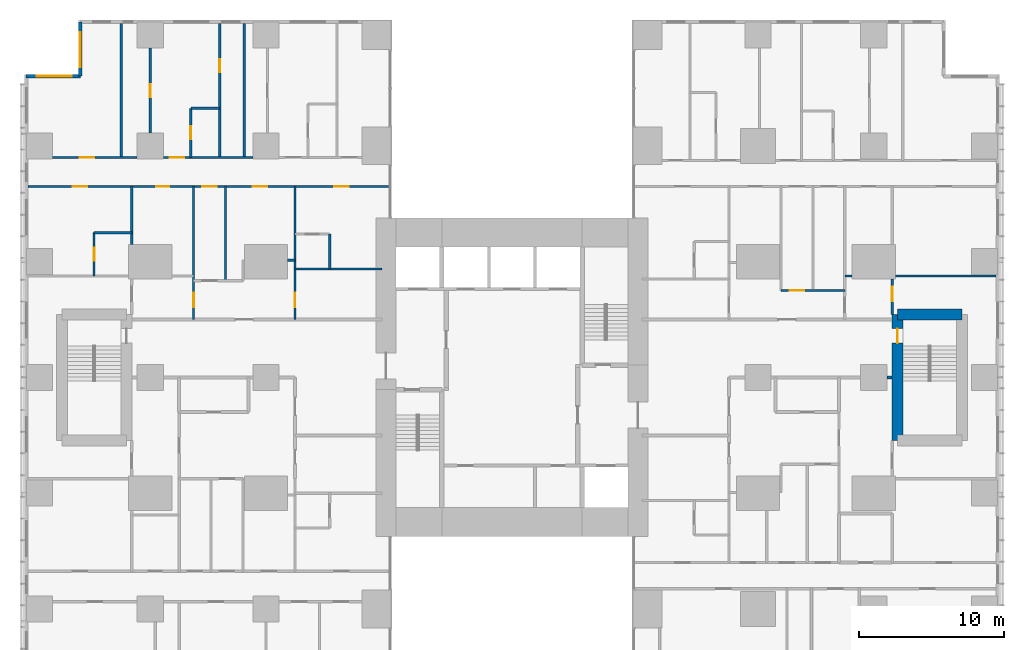
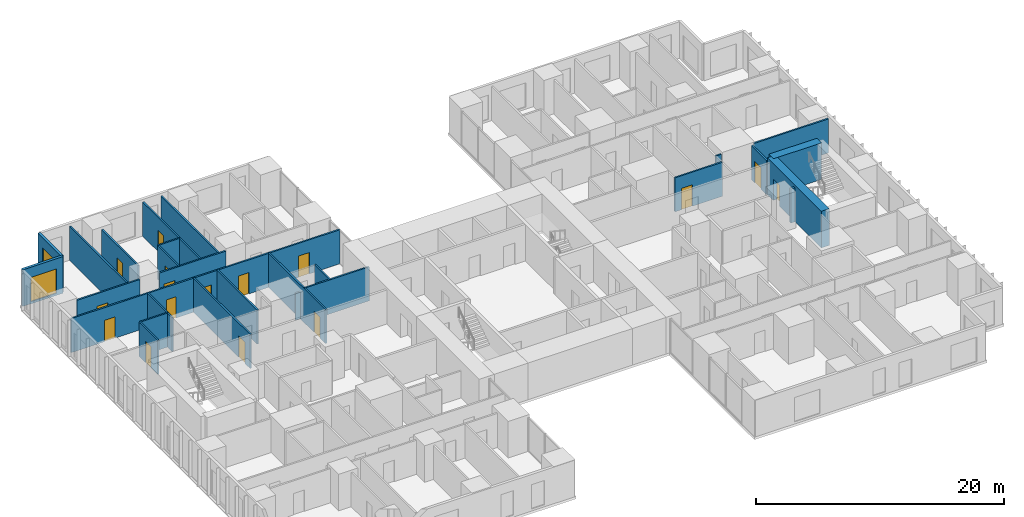
# One storey, part 16 of 20: 27 walls, 16 doors, 2 windows, 18 openings.
"""IFC4 building model written with IfcOpenShell, lengths in metres."""

from ifc_helpers import new_model, si_unit, direction, frame, frame_2d, origin, place, context, subcontext, project, spatial, rectangle, extrude, material, layer, layer_set, type_object, element, fill, save


model = new_model("IFC4")

# Units and contexts
model_context = context("Model", 3, precision=1e-05, world=origin(), true_north=direction((0.0, 1.0)))
body_context = subcontext(model_context, "Body", "Model", "MODEL_VIEW")
ifc_project = project(units=[si_unit("LENGTHUNIT", "METRE"), si_unit("AREAUNIT", "SQUARE_METRE"), si_unit("VOLUMEUNIT", "CUBIC_METRE"), si_unit("PLANEANGLEUNIT", "RADIAN"), si_unit("MASSUNIT", "GRAM", prefix="KILO")], contexts=[model_context])

# Site, building, storey
site_placement = place(None, origin())
site = spatial("IfcSite", under=ifc_project, at=site_placement, CompositionType="ELEMENT")
building_placement = place(site_placement, origin())
building = spatial("IfcBuilding", under=site, at=building_placement, Name="Cleftline Residences", CompositionType="ELEMENT")
storey_placement = place(building_placement, frame((0.0, 0.0, 203.800048828125)))
storey = spatial("IfcBuildingStorey", under=building, at=storey_placement, Name="L53", CompositionType="ELEMENT", Elevation=203.800048828125)

# Wall, opening, window
ifc_material_1 = material(Name="Rendered reinforced concrete blockwork", Category="masonry")
ifc_layer_1 = layer(ifc_material_1, 0.25)
ifc_layer_set_1 = layer_set([ifc_layer_1], Name="EXTERNAL WALL 250")
wall_type_1 = type_object("IfcWallType", Name="EXTERNAL WALL 250", PredefinedType="SOLIDWALL", material=ifc_layer_set_1)
wall_1_placement = place(storey_placement, frame((3.175048828125, 48.574951171875, 0.0), z_axis=(0.0, 0.0, 1.0), x_axis=(0.0, -1.0, 0.0)))
wall_1 = element("IfcWall", 1, at=wall_1_placement, inside=storey, type_object=wall_type_1, Name="External wall", PredefinedType="SOLIDWALL", context=body_context, shape_type="SweptSolid", body=[
    extrude(rectangle(XDim=3.75, YDim=0.25, at=frame_2d((1.875, 0.0))), origin(), (0.0, 0.0, 1.0), 3.599853515625),
])
opening_1_placement = place(wall_1_placement, frame((0.737548828125, 0.0, 0.199951171875)))
opening_1 = element("IfcOpeningElement", 2, at=opening_1_placement, cuts=wall_1, Name="Opening W9", PredefinedType="OPENING", context=body_context, shape_type="SweptSolid", body=[
    extrude(rectangle(XDim=2.39990234375, YDim=2.39990234375, at=frame_2d((1.199951171875, 1.199951171875))), frame((0.0, 0.135009765625, 0.0), z_axis=(0.0, -1.0, 0.0), x_axis=(1.0, 0.0, 0.0)), (0.0, 0.0, 1.0), 0.27001953125),
])
ifc_material_2 = material(Name="Aluminium frame, clear double glazing", Category="aluminium")
window_type = type_object("IfcWindowType", Name="WINDOW 2400X2400", PartitioningType="DOUBLE_PANEL_VERTICAL", PredefinedType="WINDOW", material=ifc_material_2)
window_1_placement = place(opening_1_placement, origin())
window_1 = element("IfcWindow", 3, at=window_1_placement, inside=storey, type_object=window_type, Name="Window", OverallHeight=2.39990234375, OverallWidth=2.39990234375, PartitioningType="SINGLE_PANEL", PredefinedType="WINDOW", context=body_context, shape_type="SweptSolid", body=[
    extrude(rectangle(XDim=2.39990234375, YDim=2.39990234375, at=frame_2d((1.199951171875, 1.199951171875))), frame((0.0, 0.030029296875, 0.0), z_axis=(0.0, -1.0, 0.0), x_axis=(1.0, 0.0, 0.0)), (0.0, 0.0, 1.0), 0.06005859375),
])
fill(opening_1, window_1)

wall_2_placement = place(storey_placement, frame((3.175048828125, 44.824951171875, 0.0), z_axis=(0.0, 0.0, 1.0), x_axis=(-1.0, 0.0, 0.0)))
wall_2 = element("IfcWall", 4, at=wall_2_placement, inside=storey, type_object=wall_type_1, Name="External wall", PredefinedType="SOLIDWALL", context=body_context, shape_type="SweptSolid", body=[
    extrude(rectangle(XDim=3.75, YDim=0.25, at=frame_2d((1.875, 0.0))), origin(), (0.0, 0.0, 1.0), 3.599853515625),
])
opening_2_placement = place(wall_2_placement, frame((0.612548828125, 0.0, 0.199951171875)))
opening_2 = element("IfcOpeningElement", 5, at=opening_2_placement, cuts=wall_2, Name="Opening W9", PredefinedType="OPENING", context=body_context, shape_type="SweptSolid", body=[
    extrude(rectangle(XDim=2.39990234375, YDim=2.39990234375, at=frame_2d((1.199951171875, 1.199951171875))), frame((0.0, 0.135009765625, 0.0), z_axis=(0.0, -1.0, 0.0), x_axis=(1.0, 0.0, 0.0)), (0.0, 0.0, 1.0), 0.27001953125),
])
window_2_placement = place(opening_2_placement, origin())
window_2 = element("IfcWindow", 6, at=window_2_placement, inside=storey, type_object=window_type, Name="Window", OverallHeight=2.39990234375, OverallWidth=2.39990234375, PartitioningType="SINGLE_PANEL", PredefinedType="WINDOW", context=body_context, shape_type="SweptSolid", body=[
    extrude(rectangle(XDim=2.39990234375, YDim=2.39990234375, at=frame_2d((1.199951171875, 1.199951171875))), frame((0.0, 0.030029296875, 0.0), z_axis=(0.0, -1.0, 0.0), x_axis=(1.0, 0.0, 0.0)), (0.0, 0.0, 1.0), 0.06005859375),
])
fill(opening_2, window_2)

# Wall
ifc_material_3 = material(Name="Concrete blockwork, fire rated", Category="masonry")
ifc_layer_2 = layer(ifc_material_3, 0.199951171875)
ifc_layer_set_2 = layer_set([ifc_layer_2], Name="FIRE WALL 200")
wall_type_2 = type_object("IfcWallType", Name="FIRE WALL 200", PredefinedType="PARTITIONING", material=ifc_layer_set_2)
wall_3_placement = place(storey_placement, frame((58.89990234375, 24.0, 0.0), z_axis=(0.0, 0.0, 1.0), x_axis=(1.0, 0.0, 0.0)))
element("IfcWall", 7, at=wall_3_placement, inside=storey, type_object=wall_type_2, Name="Fire separating wall", PredefinedType="PARTITIONING", context=body_context, shape_type="SweptSolid", body=[
    extrude(rectangle(XDim=0.375, YDim=0.199951171875, at=frame_2d((0.1875, 0.0))), origin(), (0.0, 0.0, 1.0), 3.349853515625),
])

# Wall, opening, door
ifc_material_4 = material(Name="Gypsum board on steel studs", Category="steel")
ifc_layer_3 = layer(ifc_material_4, 0.14990234375)
ifc_layer_set_3 = layer_set([ifc_layer_3], Name="PARTITION 150")
wall_type_3 = type_object("IfcWallType", Name="PARTITION 150", PredefinedType="PARTITIONING", material=ifc_layer_set_3)
wall_4_placement = place(storey_placement, frame((51.60009765625, 30.0, 0.0), z_axis=(0.0, 0.0, 1.0), x_axis=(1.0, 0.0, 0.0)))
wall_4 = element("IfcWall", 8, at=wall_4_placement, inside=storey, type_object=wall_type_3, Name="Partition", PredefinedType="PARTITIONING", context=body_context, shape_type="SweptSolid", body=[
    extrude(rectangle(XDim=4.39990234375, YDim=0.14990234375, at=frame_2d((2.199951171875, 0.0))), origin(), (0.0, 0.0, 1.0), 3.349853515625),
])
opening_3_placement = place(wall_4_placement, frame((0.60009765625, 0.0, 0.0)))
opening_3 = element("IfcOpeningElement", 9, at=opening_3_placement, cuts=wall_4, Name="Opening D2", PredefinedType="OPENING", context=body_context, shape_type="SweptSolid", body=[
    extrude(rectangle(XDim=1.0, YDim=2.10009765625, at=frame_2d((0.5, 1.050048828125))), frame((0.0, 0.0849609375, 0.0), z_axis=(0.0, -1.0, 0.0), x_axis=(1.0, 0.0, 0.0)), (0.0, 0.0, 1.0), 0.169921875),
])
ifc_material_5 = material(Name="Timber veneer on solid core", Category="wood")
door_type_1 = type_object("IfcDoorType", Name="DOOR 1000X2100", OperationType="SINGLE_SWING_LEFT", PredefinedType="DOOR", material=ifc_material_5)
door_1_placement = place(opening_3_placement, origin())
door_1 = element("IfcDoor", 10, at=door_1_placement, inside=storey, type_object=door_type_1, Name="Door to residence passage", OperationType="SINGLE_SWING_RIGHT", OverallHeight=2.10009765625, OverallWidth=1.0, PredefinedType="DOOR", context=body_context, shape_type="SweptSolid", body=[
    extrude(rectangle(XDim=1.0, YDim=2.10009765625, at=frame_2d((0.5, 1.050048828125))), frame((0.0, 0.02490234375, 0.0), z_axis=(0.0, -1.0, 0.0), x_axis=(1.0, 0.0, 0.0)), (0.0, 0.0, 1.0), 0.050048828125),
])
fill(opening_3, door_1)

# Walls
wall_5_placement = place(storey_placement, frame((56.0, 31.0, 0.0), z_axis=(0.0, 0.0, 1.0), x_axis=(1.0, 0.0, 0.0)))
element("IfcWall", 11, at=wall_5_placement, inside=storey, type_object=wall_type_3, Name="Partition", PredefinedType="PARTITIONING", context=body_context, shape_type="SweptSolid", body=[
    extrude(rectangle(XDim=0.5, YDim=0.14990234375, at=frame_2d((0.25, 0.0))), origin(), (0.0, 0.0, 1.0), 3.349853515625),
])
wall_6_placement = place(storey_placement, frame((59.5, 31.0, 0.0), z_axis=(0.0, 0.0, 1.0), x_axis=(1.0, 0.0, 0.0)))
element("IfcWall", 12, at=wall_6_placement, inside=storey, type_object=wall_type_3, Name="Partition", PredefinedType="PARTITIONING", context=body_context, shape_type="SweptSolid", body=[
    extrude(rectangle(XDim=6.949951171875, YDim=0.14990234375, at=frame_2d((3.47509765625, 0.0))), origin(), (0.0, 0.0, 1.0), 3.349853515625),
])
wall_7_placement = place(storey_placement, frame((18.0, 31.5, 0.0), z_axis=(0.0, 0.0, 1.0), x_axis=(1.0, 0.0, 0.0)))
element("IfcWall", 13, at=wall_7_placement, inside=storey, type_object=wall_type_3, Name="Partition", PredefinedType="PARTITIONING", context=body_context, shape_type="SweptSolid", body=[
    extrude(rectangle(XDim=6.0, YDim=0.14990234375, at=frame_2d((3.0, 0.0))), origin(), (0.0, 0.0, 1.0), 3.349853515625),
])
wall_8_placement = place(storey_placement, frame((17.5, 32.10009765625, 0.0), z_axis=(0.0, 0.0, 1.0), x_axis=(1.0, 0.0, 0.0)))
element("IfcWall", 14, at=wall_8_placement, inside=storey, type_object=wall_type_3, Name="Partition", PredefinedType="PARTITIONING", context=body_context, shape_type="SweptSolid", body=[
    extrude(rectangle(XDim=0.5, YDim=0.14990234375, at=frame_2d((0.25, 0.0))), origin(), (0.0, 0.0, 1.0), 2.634033203125),
])
wall_9_placement = place(storey_placement, frame((4.125, 34.0, 0.0), z_axis=(0.0, 0.0, 1.0), x_axis=(1.0, 0.0, 0.0)))
element("IfcWall", 15, at=wall_9_placement, inside=storey, type_object=wall_type_3, Name="Partition", PredefinedType="PARTITIONING", context=body_context, shape_type="SweptSolid", body=[
    extrude(rectangle(XDim=2.60009765625, YDim=0.14990234375, at=frame_2d((1.300048828125, 0.0))), origin(), (0.0, 0.0, 1.0), 3.349853515625),
])

# Wall, openings, doors
wall_10_placement = place(storey_placement, frame((-0.449951171875, 37.199951171875, 0.0), z_axis=(0.0, 0.0, 1.0), x_axis=(1.0, 0.0, 0.0)))
wall_10 = element("IfcWall", 16, at=wall_10_placement, inside=storey, type_object=wall_type_3, Name="Partition", PredefinedType="PARTITIONING", context=body_context, shape_type="SweptSolid", body=[
    extrude(rectangle(XDim=25.010986328125, YDim=0.14990234375, at=frame_2d((12.50537109375, 0.0))), origin(), (0.0, 0.0, 1.0), 3.349853515625),
])
opening_4_placement = place(wall_10_placement, frame((12.050048828125, 0.0, 0.0)))
opening_4 = element("IfcOpeningElement", 17, at=opening_4_placement, cuts=wall_10, Name="Opening D2F30", PredefinedType="OPENING", context=body_context, shape_type="SweptSolid", body=[
    extrude(rectangle(XDim=1.0, YDim=2.10009765625, at=frame_2d((0.5, 1.050048828125))), frame((0.0, 0.0849609375, 0.0), z_axis=(0.0, -1.0, 0.0), x_axis=(1.0, 0.0, 0.0)), (0.0, 0.0, 1.0), 0.169921875),
])
opening_5_placement = place(wall_10_placement, frame((3.08740234375, 0.0, 0.0)))
opening_5 = element("IfcOpeningElement", 18, at=opening_5_placement, cuts=wall_10, Name="Opening D2F30", PredefinedType="OPENING", context=body_context, shape_type="SweptSolid", body=[
    extrude(rectangle(XDim=1.0, YDim=2.10009765625, at=frame_2d((0.5, 1.050048828125))), frame((0.0, 0.0849609375, 0.0), z_axis=(0.0, -1.0, 0.0), x_axis=(1.0, 0.0, 0.0)), (0.0, 0.0, 1.0), 0.169921875),
])
opening_6_placement = place(wall_10_placement, frame((8.862548828125, 0.0, 0.0)))
opening_6 = element("IfcOpeningElement", 19, at=opening_6_placement, cuts=wall_10, Name="Opening D1F30", PredefinedType="OPENING", context=body_context, shape_type="SweptSolid", body=[
    extrude(rectangle(XDim=0.89990234375, YDim=2.10009765625, at=frame_2d((0.449951171875, 1.050048828125))), frame((0.0, 0.0849609375, 0.0), z_axis=(0.0, -1.0, 0.0), x_axis=(1.0, 0.0, 0.0)), (0.0, 0.0, 1.0), 0.169921875),
])
opening_7_placement = place(wall_10_placement, frame((15.550048828125, 0.0, 0.0)))
opening_7 = element("IfcOpeningElement", 20, at=opening_7_placement, cuts=wall_10, Name="Opening D2F30", PredefinedType="OPENING", context=body_context, shape_type="SweptSolid", body=[
    extrude(rectangle(XDim=1.0, YDim=2.10009765625, at=frame_2d((0.5, 1.050048828125))), frame((0.0, 0.0849609375, 0.0), z_axis=(0.0, -1.0, 0.0), x_axis=(1.0, 0.0, 0.0)), (0.0, 0.0, 1.0), 0.169921875),
])
opening_8_placement = place(wall_10_placement, frame((21.175048828125, 0.0, 0.0)))
opening_8 = element("IfcOpeningElement", 21, at=opening_8_placement, cuts=wall_10, Name="Opening D2F30", PredefinedType="OPENING", context=body_context, shape_type="SweptSolid", body=[
    extrude(rectangle(XDim=1.0, YDim=2.10009765625, at=frame_2d((0.5, 1.050048828125))), frame((0.0, 0.0849609375, 0.0), z_axis=(0.0, -1.0, 0.0), x_axis=(1.0, 0.0, 0.0)), (0.0, 0.0, 1.0), 0.169921875),
])
ifc_material_6 = material(Name="Timber veneer on solid core", Category="wood")
door_type_2 = type_object("IfcDoorType", Name="DOOR 1000X2100 EI 30", OperationType="SINGLE_SWING_LEFT", PredefinedType="DOOR", material=ifc_material_6)
door_2_placement = place(opening_4_placement, origin())
door_2 = element("IfcDoor", 22, at=door_2_placement, inside=storey, type_object=door_type_2, Name="Door to residence corridor (bedrooms)", OperationType="SINGLE_SWING_LEFT", OverallHeight=2.10009765625, OverallWidth=1.0, PredefinedType="DOOR", context=body_context, shape_type="SweptSolid", body=[
    extrude(rectangle(XDim=1.0, YDim=2.10009765625, at=frame_2d((0.5, 1.050048828125))), frame((0.0, 0.02490234375, 0.0), z_axis=(0.0, -1.0, 0.0), x_axis=(1.0, 0.0, 0.0)), (0.0, 0.0, 1.0), 0.050048828125),
])
fill(opening_4, door_2)
door_3_placement = place(opening_5_placement, origin())
door_3 = element("IfcDoor", 23, at=door_3_placement, inside=storey, type_object=door_type_2, Name="Door to master bedroom", OperationType="SINGLE_SWING_RIGHT", OverallHeight=2.10009765625, OverallWidth=1.0, PredefinedType="DOOR", context=body_context, shape_type="SweptSolid", body=[
    extrude(rectangle(XDim=1.0, YDim=2.10009765625, at=frame_2d((0.5, 1.050048828125))), frame((0.0, 0.02490234375, 0.0), z_axis=(0.0, -1.0, 0.0), x_axis=(1.0, 0.0, 0.0)), (0.0, 0.0, 1.0), 0.050048828125),
])
fill(opening_5, door_3)
door_4_placement = place(opening_7_placement, origin())
door_4 = element("IfcDoor", 24, at=door_4_placement, inside=storey, type_object=door_type_2, Name="Door to family room", OperationType="SINGLE_SWING_LEFT", OverallHeight=2.10009765625, OverallWidth=1.0, PredefinedType="DOOR", context=body_context, shape_type="SweptSolid", body=[
    extrude(rectangle(XDim=1.0, YDim=2.10009765625, at=frame_2d((0.5, 1.050048828125))), frame((0.0, 0.02490234375, 0.0), z_axis=(0.0, -1.0, 0.0), x_axis=(1.0, 0.0, 0.0)), (0.0, 0.0, 1.0), 0.050048828125),
])
fill(opening_7, door_4)
door_5_placement = place(opening_8_placement, origin())
door_5 = element("IfcDoor", 25, at=door_5_placement, inside=storey, type_object=door_type_2, Name="Door to staff bedroom", OperationType="SINGLE_SWING_LEFT", OverallHeight=2.10009765625, OverallWidth=1.0, PredefinedType="DOOR", context=body_context, shape_type="SweptSolid", body=[
    extrude(rectangle(XDim=1.0, YDim=2.10009765625, at=frame_2d((0.5, 1.050048828125))), frame((0.0, 0.02490234375, 0.0), z_axis=(0.0, -1.0, 0.0), x_axis=(1.0, 0.0, 0.0)), (0.0, 0.0, 1.0), 0.050048828125),
])
fill(opening_8, door_5)
ifc_material_7 = material(Name="Timber veneer on solid core", Category="wood")
door_type_3 = type_object("IfcDoorType", Name="DOOR 900X2100 EI 30", OperationType="SINGLE_SWING_LEFT", PredefinedType="DOOR", material=ifc_material_7)
door_6_placement = place(opening_6_placement, origin())
door_6 = element("IfcDoor", 26, at=door_6_placement, inside=storey, type_object=door_type_3, Name="Door to guest bathroom", OperationType="SINGLE_SWING_RIGHT", OverallHeight=2.10009765625, OverallWidth=0.89990234375, PredefinedType="DOOR", context=body_context, shape_type="SweptSolid", body=[
    extrude(rectangle(XDim=0.89990234375, YDim=2.10009765625, at=frame_2d((0.449951171875, 1.050048828125))), frame((0.0, 0.02490234375, 0.0), z_axis=(0.0, -1.0, 0.0), x_axis=(1.0, 0.0, 0.0)), (0.0, 0.0, 1.0), 0.050048828125),
])
fill(opening_6, door_6)

# Wall, opening, door
wall_11_placement = place(storey_placement, frame((1.25, 39.199951171875, 0.0), z_axis=(0.0, 0.0, 1.0), x_axis=(1.0, 0.0, 0.0)))
wall_11 = element("IfcWall", 27, at=wall_11_placement, inside=storey, type_object=wall_type_3, Name="Partition", PredefinedType="PARTITIONING", context=body_context, shape_type="SweptSolid", body=[
    extrude(rectangle(XDim=5.85009765625, YDim=0.14990234375, at=frame_2d((2.925048828125, 0.0))), origin(), (0.0, 0.0, 1.0), 3.349853515625),
])
opening_9_placement = place(wall_11_placement, frame((1.875, 0.0, 0.0)))
opening_9 = element("IfcOpeningElement", 28, at=opening_9_placement, cuts=wall_11, Name="Opening D2", PredefinedType="OPENING", context=body_context, shape_type="SweptSolid", body=[
    extrude(rectangle(XDim=1.0, YDim=2.10009765625, at=frame_2d((0.5, 1.050048828125))), frame((0.0, 0.0849609375, 0.0), z_axis=(0.0, -1.0, 0.0), x_axis=(1.0, 0.0, 0.0)), (0.0, 0.0, 1.0), 0.169921875),
])
door_7_placement = place(opening_9_placement, origin())
door_7 = element("IfcDoor", 29, at=door_7_placement, inside=storey, type_object=door_type_1, Name="Door to gym", OperationType="SINGLE_SWING_RIGHT", OverallHeight=2.10009765625, OverallWidth=1.0, PredefinedType="DOOR", context=body_context, shape_type="SweptSolid", body=[
    extrude(rectangle(XDim=1.0, YDim=2.10009765625, at=frame_2d((0.5, 1.050048828125))), frame((0.0, 0.02490234375, 0.0), z_axis=(0.0, -1.0, 0.0), x_axis=(1.0, 0.0, 0.0)), (0.0, 0.0, 1.0), 0.050048828125),
])
fill(opening_9, door_7)

wall_12_placement = place(storey_placement, frame((8.89990234375, 39.199951171875, 0.0), z_axis=(0.0, 0.0, 1.0), x_axis=(1.0, 0.0, 0.0)))
wall_12 = element("IfcWall", 30, at=wall_12_placement, inside=storey, type_object=wall_type_3, Name="Partition", PredefinedType="PARTITIONING", context=body_context, shape_type="SweptSolid", body=[
    extrude(rectangle(XDim=6.2001953125, YDim=0.14990234375, at=frame_2d((3.10009765625, 0.0))), origin(), (0.0, 0.0, 1.0), 3.349853515625),
])
opening_10_placement = place(wall_12_placement, frame((0.449951171875, 0.0, 0.0)))
opening_10 = element("IfcOpeningElement", 31, at=opening_10_placement, cuts=wall_12, Name="Opening D2", PredefinedType="OPENING", context=body_context, shape_type="SweptSolid", body=[
    extrude(rectangle(XDim=1.0, YDim=2.10009765625, at=frame_2d((0.5, 1.050048828125))), frame((0.0, 0.0849609375, 0.0), z_axis=(0.0, -1.0, 0.0), x_axis=(1.0, 0.0, 0.0)), (0.0, 0.0, 1.0), 0.169921875),
])
door_8_placement = place(opening_10_placement, origin())
door_8 = element("IfcDoor", 32, at=door_8_placement, inside=storey, type_object=door_type_1, Name="Door to bedroom 2", OperationType="SINGLE_SWING_RIGHT", OverallHeight=2.10009765625, OverallWidth=1.0, PredefinedType="DOOR", context=body_context, shape_type="SweptSolid", body=[
    extrude(rectangle(XDim=1.0, YDim=2.10009765625, at=frame_2d((0.5, 1.050048828125))), frame((0.0, 0.02490234375, 0.0), z_axis=(0.0, -1.0, 0.0), x_axis=(1.0, 0.0, 0.0)), (0.0, 0.0, 1.0), 0.050048828125),
])
fill(opening_10, door_8)

# Wall
wall_13_placement = place(storey_placement, frame((10.800048828125, 42.60009765625, 0.0), z_axis=(0.0, 0.0, 1.0), x_axis=(1.0, 0.0, 0.0)))
element("IfcWall", 33, at=wall_13_placement, inside=storey, type_object=wall_type_3, Name="Partition", PredefinedType="PARTITIONING", context=body_context, shape_type="SweptSolid", body=[
    extrude(rectangle(XDim=2.0, YDim=0.14990234375, at=frame_2d((1.0, 0.0))), origin(), (0.0, 0.0, 1.0), 3.349853515625),
])

# Wall, opening, door
wall_14_placement = place(storey_placement, frame((4.125, 31.0, 0.0), z_axis=(0.0, 0.0, 1.0), x_axis=(0.0, 1.0, 0.0)))
wall_14 = element("IfcWall", 34, at=wall_14_placement, inside=storey, type_object=wall_type_3, Name="Partition", PredefinedType="PARTITIONING", context=body_context, shape_type="SweptSolid", body=[
    extrude(rectangle(XDim=3.0, YDim=0.14990234375, at=frame_2d((1.5, 0.0))), origin(), (0.0, 0.0, 1.0), 3.349853515625),
])
opening_11_placement = place(wall_14_placement, frame((1.050048828125, 0.0, 0.0)))
opening_11 = element("IfcOpeningElement", 35, at=opening_11_placement, cuts=wall_14, Name="Opening D1", PredefinedType="OPENING", context=body_context, shape_type="SweptSolid", body=[
    extrude(rectangle(XDim=0.89990234375, YDim=2.10009765625, at=frame_2d((0.449951171875, 1.050048828125))), frame((0.0, 0.0849609375, 0.0), z_axis=(0.0, -1.0, 0.0), x_axis=(1.0, 0.0, 0.0)), (0.0, 0.0, 1.0), 0.169921875),
])
ifc_material_8 = material(Name="Timber veneer on solid core", Category="wood")
door_type_4 = type_object("IfcDoorType", Name="DOOR 900X2100", OperationType="SINGLE_SWING_LEFT", PredefinedType="DOOR", material=ifc_material_8)
door_9_placement = place(opening_11_placement, origin())
door_9 = element("IfcDoor", 36, at=door_9_placement, inside=storey, type_object=door_type_4, Name="Door to master bathroom", OperationType="SINGLE_SWING_LEFT", OverallHeight=2.10009765625, OverallWidth=0.89990234375, PredefinedType="DOOR", context=body_context, shape_type="SweptSolid", body=[
    extrude(rectangle(XDim=0.89990234375, YDim=2.10009765625, at=frame_2d((0.449951171875, 1.050048828125))), frame((0.0, 0.02490234375, 0.0), z_axis=(0.0, -1.0, 0.0), x_axis=(1.0, 0.0, 0.0)), (0.0, 0.0, 1.0), 0.050048828125),
])
fill(opening_11, door_9)

# Walls
wall_15_placement = place(storey_placement, frame((6.0, 39.199951171875, 0.0), z_axis=(0.0, 0.0, 1.0), x_axis=(0.0, 1.0, 0.0)))
element("IfcWall", 37, at=wall_15_placement, inside=storey, type_object=wall_type_3, Name="Partition", PredefinedType="PARTITIONING", context=body_context, shape_type="SweptSolid", body=[
    extrude(rectangle(XDim=9.25, YDim=0.14990234375, at=frame_2d((4.625, 0.0))), origin(), (0.0, 0.0, 1.0), 3.349853515625),
])
wall_16_placement = place(storey_placement, frame((6.72509765625, 33.199951171875, 0.0), z_axis=(0.0, 0.0, 1.0), x_axis=(0.0, 1.0, 0.0)))
element("IfcWall", 38, at=wall_16_placement, inside=storey, type_object=wall_type_3, Name="Partition", PredefinedType="PARTITIONING", context=body_context, shape_type="SweptSolid", body=[
    extrude(rectangle(XDim=4.0, YDim=0.14990234375, at=frame_2d((2.0, 0.0))), origin(), (0.0, 0.0, 1.0), 3.349853515625),
])

# Wall, opening, door
wall_17_placement = place(storey_placement, frame((8.0, 40.89990234375, 0.0), z_axis=(0.0, 0.0, 1.0), x_axis=(0.0, 1.0, 0.0)))
wall_17 = element("IfcWall", 39, at=wall_17_placement, inside=storey, type_object=wall_type_3, Name="Partition", PredefinedType="PARTITIONING", context=body_context, shape_type="SweptSolid", body=[
    extrude(rectangle(XDim=5.85009765625, YDim=0.14990234375, at=frame_2d((2.925048828125, 0.0))), origin(), (0.0, 0.0, 1.0), 3.349853515625),
])
opening_12_placement = place(wall_17_placement, frame((2.47509765625, 0.0, 0.0)))
opening_12 = element("IfcOpeningElement", 40, at=opening_12_placement, cuts=wall_17, Name="Opening D1", PredefinedType="OPENING", context=body_context, shape_type="SweptSolid", body=[
    extrude(rectangle(XDim=0.89990234375, YDim=2.10009765625, at=frame_2d((0.449951171875, 1.050048828125))), frame((0.0, 0.0849609375, 0.0), z_axis=(0.0, -1.0, 0.0), x_axis=(1.0, 0.0, 0.0)), (0.0, 0.0, 1.0), 0.169921875),
])
door_10_placement = place(opening_12_placement, origin())
door_10 = element("IfcDoor", 41, at=door_10_placement, inside=storey, type_object=door_type_4, Name="Door to walk-in wardrobe", OperationType="SINGLE_SWING_LEFT", OverallHeight=2.10009765625, OverallWidth=0.89990234375, PredefinedType="DOOR", context=body_context, shape_type="SweptSolid", body=[
    extrude(rectangle(XDim=0.89990234375, YDim=2.10009765625, at=frame_2d((0.449951171875, 1.050048828125))), frame((0.0, 0.02490234375, 0.0), z_axis=(0.0, -1.0, 0.0), x_axis=(1.0, 0.0, 0.0)), (0.0, 0.0, 1.0), 0.050048828125),
])
fill(opening_12, door_10)

wall_18_placement = place(storey_placement, frame((10.800048828125, 39.199951171875, 0.0), z_axis=(0.0, 0.0, 1.0), x_axis=(0.0, 1.0, 0.0)))
wall_18 = element("IfcWall", 42, at=wall_18_placement, inside=storey, type_object=wall_type_3, Name="Partition", PredefinedType="PARTITIONING", context=body_context, shape_type="SweptSolid", body=[
    extrude(rectangle(XDim=3.400146484375, YDim=0.14990234375, at=frame_2d((1.7001953125, 0.0))), origin(), (0.0, 0.0, 1.0), 3.349853515625),
])
opening_13_placement = place(wall_18_placement, frame((1.25, 0.0, 0.0)))
opening_13 = element("IfcOpeningElement", 43, at=opening_13_placement, cuts=wall_18, Name="Opening D1", PredefinedType="OPENING", context=body_context, shape_type="SweptSolid", body=[
    extrude(rectangle(XDim=0.89990234375, YDim=2.10009765625, at=frame_2d((0.449951171875, 1.050048828125))), frame((0.0, 0.0849609375, 0.0), z_axis=(0.0, -1.0, 0.0), x_axis=(1.0, 0.0, 0.0)), (0.0, 0.0, 1.0), 0.169921875),
])
door_11_placement = place(opening_13_placement, origin())
door_11 = element("IfcDoor", 44, at=door_11_placement, inside=storey, type_object=door_type_4, Name="Door to en-suite bathroom 2", OperationType="SINGLE_SWING_LEFT", OverallHeight=2.10009765625, OverallWidth=0.89990234375, PredefinedType="DOOR", context=body_context, shape_type="SweptSolid", body=[
    extrude(rectangle(XDim=0.89990234375, YDim=2.10009765625, at=frame_2d((0.449951171875, 1.050048828125))), frame((0.0, 0.02490234375, 0.0), z_axis=(0.0, -1.0, 0.0), x_axis=(1.0, 0.0, 0.0)), (0.0, 0.0, 1.0), 0.050048828125),
])
fill(opening_13, door_11)

wall_19_placement = place(storey_placement, frame((11.0, 28.0, 0.0), z_axis=(0.0, 0.0, 1.0), x_axis=(0.0, 1.0, 0.0)))
wall_19 = element("IfcWall", 45, at=wall_19_placement, inside=storey, type_object=wall_type_3, Name="Partition", PredefinedType="PARTITIONING", context=body_context, shape_type="SweptSolid", body=[
    extrude(rectangle(XDim=9.199951171875, YDim=0.14990234375, at=frame_2d((4.60009765625, 0.0))), origin(), (0.0, 0.0, 1.0), 3.349853515625),
])
opening_14_placement = place(wall_19_placement, frame((0.83740234375, 0.0, 0.0)))
opening_14 = element("IfcOpeningElement", 46, at=opening_14_placement, cuts=wall_19, Name="Opening D2F30", PredefinedType="OPENING", context=body_context, shape_type="SweptSolid", body=[
    extrude(rectangle(XDim=1.0, YDim=2.10009765625, at=frame_2d((0.5, 1.050048828125))), frame((0.0, 0.0849609375, 0.0), z_axis=(0.0, -1.0, 0.0), x_axis=(1.0, 0.0, 0.0)), (0.0, 0.0, 1.0), 0.169921875),
])
door_12_placement = place(opening_14_placement, origin())
door_12 = element("IfcDoor", 47, at=door_12_placement, inside=storey, type_object=door_type_2, Name="Door to residence lobby (service)", OperationType="SINGLE_SWING_RIGHT", OverallHeight=2.10009765625, OverallWidth=1.0, PredefinedType="DOOR", context=body_context, shape_type="SweptSolid", body=[
    extrude(rectangle(XDim=1.0, YDim=2.10009765625, at=frame_2d((0.5, 1.050048828125))), frame((0.0, 0.02490234375, 0.0), z_axis=(0.0, -1.0, 0.0), x_axis=(1.0, 0.0, 0.0)), (0.0, 0.0, 1.0), 0.050048828125),
])
fill(opening_14, door_12)

wall_20_placement = place(storey_placement, frame((12.800048828125, 39.199951171875, 0.0), z_axis=(0.0, 0.0, 1.0), x_axis=(0.0, 1.0, 0.0)))
wall_20 = element("IfcWall", 48, at=wall_20_placement, inside=storey, type_object=wall_type_3, Name="Partition", PredefinedType="PARTITIONING", context=body_context, shape_type="SweptSolid", body=[
    extrude(rectangle(XDim=9.25, YDim=0.14990234375, at=frame_2d((4.625, 0.0))), origin(), (0.0, 0.0, 1.0), 3.349853515625),
])
opening_15_placement = place(wall_20_placement, frame((5.875, 0.0, 0.0)))
opening_15 = element("IfcOpeningElement", 49, at=opening_15_placement, cuts=wall_20, Name="Opening D1", PredefinedType="OPENING", context=body_context, shape_type="SweptSolid", body=[
    extrude(rectangle(XDim=0.89990234375, YDim=2.10009765625, at=frame_2d((0.449951171875, 1.050048828125))), frame((0.0, 0.0849609375, 0.0), z_axis=(0.0, -1.0, 0.0), x_axis=(1.0, 0.0, 0.0)), (0.0, 0.0, 1.0), 0.169921875),
])
door_13_placement = place(opening_15_placement, origin())
door_13 = element("IfcDoor", 50, at=door_13_placement, inside=storey, type_object=door_type_4, Name="Door to walk-in wardrobe", OperationType="SINGLE_SWING_LEFT", OverallHeight=2.10009765625, OverallWidth=0.89990234375, PredefinedType="DOOR", context=body_context, shape_type="SweptSolid", body=[
    extrude(rectangle(XDim=0.89990234375, YDim=2.10009765625, at=frame_2d((0.449951171875, 1.050048828125))), frame((0.0, 0.02490234375, 0.0), z_axis=(0.0, -1.0, 0.0), x_axis=(1.0, 0.0, 0.0)), (0.0, 0.0, 1.0), 0.050048828125),
])
fill(opening_15, door_13)

# Walls
wall_21_placement = place(storey_placement, frame((13.199951171875, 30.675048828125, 0.0), z_axis=(0.0, 0.0, 1.0), x_axis=(0.0, 1.0, 0.0)))
element("IfcWall", 51, at=wall_21_placement, inside=storey, type_object=wall_type_3, Name="Partition", PredefinedType="PARTITIONING", context=body_context, shape_type="SweptSolid", body=[
    extrude(rectangle(XDim=6.52490234375, YDim=0.14990234375, at=frame_2d((3.262451171875, 0.0))), origin(), (0.0, 0.0, 1.0), 3.349853515625),
])
wall_22_placement = place(storey_placement, frame((14.5, 39.199951171875, 0.0), z_axis=(0.0, 0.0, 1.0), x_axis=(0.0, 1.0, 0.0)))
element("IfcWall", 52, at=wall_22_placement, inside=storey, type_object=wall_type_3, Name="Partition", PredefinedType="PARTITIONING", context=body_context, shape_type="SweptSolid", body=[
    extrude(rectangle(XDim=9.25, YDim=0.14990234375, at=frame_2d((4.625, 0.0))), origin(), (0.0, 0.0, 1.0), 3.349853515625),
])

# Wall, opening, door
wall_23_placement = place(storey_placement, frame((18.0, 28.0, 0.0), z_axis=(0.0, 0.0, 1.0), x_axis=(0.0, 1.0, 0.0)))
wall_23 = element("IfcWall", 53, at=wall_23_placement, inside=storey, type_object=wall_type_3, Name="Partition", PredefinedType="PARTITIONING", context=body_context, shape_type="SweptSolid", body=[
    extrude(rectangle(XDim=9.199951171875, YDim=0.14990234375, at=frame_2d((4.60009765625, 0.0))), origin(), (0.0, 0.0, 1.0), 3.349853515625),
])
opening_16_placement = place(wall_23_placement, frame((0.83740234375, 0.0, 0.0)))
opening_16 = element("IfcOpeningElement", 54, at=opening_16_placement, cuts=wall_23, Name="Opening D2", PredefinedType="OPENING", context=body_context, shape_type="SweptSolid", body=[
    extrude(rectangle(XDim=1.0, YDim=2.10009765625, at=frame_2d((0.5, 1.050048828125))), frame((0.0, 0.0849609375, 0.0), z_axis=(0.0, -1.0, 0.0), x_axis=(1.0, 0.0, 0.0)), (0.0, 0.0, 1.0), 0.169921875),
])
door_14_placement = place(opening_16_placement, origin())
door_14 = element("IfcDoor", 55, at=door_14_placement, inside=storey, type_object=door_type_1, Name="Door to morning kitchen", OperationType="SINGLE_SWING_RIGHT", OverallHeight=2.10009765625, OverallWidth=1.0, PredefinedType="DOOR", context=body_context, shape_type="SweptSolid", body=[
    extrude(rectangle(XDim=1.0, YDim=2.10009765625, at=frame_2d((0.5, 1.050048828125))), frame((0.0, 0.02490234375, 0.0), z_axis=(0.0, -1.0, 0.0), x_axis=(1.0, 0.0, 0.0)), (0.0, 0.0, 1.0), 0.050048828125),
])
fill(opening_16, door_14)

# Wall
wall_24_placement = place(storey_placement, frame((20.39990234375, 31.5, 0.0), z_axis=(0.0, 0.0, 1.0), x_axis=(0.0, 1.0, 0.0)))
element("IfcWall", 56, at=wall_24_placement, inside=storey, type_object=wall_type_3, Name="Partition", PredefinedType="PARTITIONING", context=body_context, shape_type="SweptSolid", body=[
    extrude(rectangle(XDim=2.39990234375, YDim=0.14990234375, at=frame_2d((1.199951171875, 0.0))), origin(), (0.0, 0.0, 1.0), 3.349853515625),
])

# Wall, opening, door
wall_25_placement = place(storey_placement, frame((59.27490234375, 28.35009765625, 0.0), z_axis=(0.0, 0.0, 1.0), x_axis=(0.0, 1.0, 0.0)))
wall_25 = element("IfcWall", 57, at=wall_25_placement, inside=storey, type_object=wall_type_3, Name="Partition", PredefinedType="PARTITIONING", context=body_context, shape_type="SweptSolid", body=[
    extrude(rectangle(XDim=2.449951171875, YDim=0.14990234375, at=frame_2d((1.22509765625, 0.0))), origin(), (0.0, 0.0, 1.0), 3.349853515625),
])
opening_17_placement = place(wall_25_placement, frame((0.91259765625, 0.0, 0.0)))
opening_17 = element("IfcOpeningElement", 58, at=opening_17_placement, cuts=wall_25, Name="Opening D2", PredefinedType="OPENING", context=body_context, shape_type="SweptSolid", body=[
    extrude(rectangle(XDim=1.0, YDim=2.10009765625, at=frame_2d((0.5, 1.050048828125))), frame((0.0, 0.0849609375, 0.0), z_axis=(0.0, -1.0, 0.0), x_axis=(1.0, 0.0, 0.0)), (0.0, 0.0, 1.0), 0.169921875),
])
door_15_placement = place(opening_17_placement, origin())
door_15 = element("IfcDoor", 59, at=door_15_placement, inside=storey, type_object=door_type_1, Name="Door to altar room", OperationType="SINGLE_SWING_LEFT", OverallHeight=2.10009765625, OverallWidth=1.0, PredefinedType="DOOR", context=body_context, shape_type="SweptSolid", body=[
    extrude(rectangle(XDim=1.0, YDim=2.10009765625, at=frame_2d((0.5, 1.050048828125))), frame((0.0, 0.02490234375, 0.0), z_axis=(0.0, -1.0, 0.0), x_axis=(1.0, 0.0, 0.0)), (0.0, 0.0, 1.0), 0.050048828125),
])
fill(opening_17, door_15)

# Wall
ifc_material_9 = material(Name="Concrete B70", Category="concrete")
ifc_layer_4 = layer(ifc_material_9, 0.75)
ifc_layer_set_4 = layer_set([ifc_layer_4], Name="SHEAR WALL 750")
wall_type_4 = type_object("IfcWallType", Name="SHEAR WALL 750", PredefinedType="SHEAR", material=ifc_layer_set_4)
wall_26_placement = place(storey_placement, frame((64.10009765625, 28.35009765625, 0.0), z_axis=(0.0, 0.0, 1.0), x_axis=(-1.0, 0.0, 0.0)))
element("IfcWall", 60, at=wall_26_placement, inside=storey, type_object=wall_type_4, Name="Wing shear wall", PredefinedType="SHEAR", context=body_context, shape_type="SweptSolid", body=[
    extrude(rectangle(XDim=4.4501953125, YDim=0.75, at=frame_2d((2.22509765625, 0.0))), origin(), (0.0, 0.0, 1.0), 3.599853515625),
])

# Wall, opening, door
wall_27_placement = place(storey_placement, frame((59.64990234375, 28.35009765625, 0.0), z_axis=(0.0, 0.0, 1.0), x_axis=(0.0, -1.0, 0.0)))
wall_27 = element("IfcWall", 61, at=wall_27_placement, inside=storey, type_object=wall_type_4, Name="Wing shear wall", PredefinedType="SHEAR", context=body_context, shape_type="SweptSolid", body=[
    extrude(rectangle(XDim=8.7001953125, YDim=0.75, at=frame_2d((4.35009765625, 0.0))), origin(), (0.0, 0.0, 1.0), 3.599853515625),
])
opening_18_placement = place(wall_27_placement, frame((0.97509765625, 0.0, 0.0)))
opening_18 = element("IfcOpeningElement", 62, at=opening_18_placement, cuts=wall_27, Name="Opening D5", PredefinedType="OPENING", context=body_context, shape_type="SweptSolid", body=[
    extrude(rectangle(XDim=1.0, YDim=2.10009765625, at=frame_2d((0.5, 1.050048828125))), frame((0.0, 0.385009765625, 0.0), z_axis=(0.0, -1.0, 0.0), x_axis=(1.0, 0.0, 0.0)), (0.0, 0.0, 1.0), 0.77001953125),
])
ifc_material_10 = material(Name="Steel", Category="steel")
door_type_5 = type_object("IfcDoorType", Name="STAIR DOOR 1000X2100", OperationType="SINGLE_SWING_LEFT", PredefinedType="DOOR", material=ifc_material_10)
door_16_placement = place(opening_18_placement, origin())
door_16 = element("IfcDoor", 63, at=door_16_placement, inside=storey, type_object=door_type_5, Name="Stair E door", OperationType="SINGLE_SWING_RIGHT", OverallHeight=2.10009765625, OverallWidth=1.0, PredefinedType="DOOR", context=body_context, shape_type="SweptSolid", body=[
    extrude(rectangle(XDim=1.0, YDim=2.10009765625, at=frame_2d((0.5, 1.050048828125))), frame((0.0, 0.02490234375, 0.0), z_axis=(0.0, -1.0, 0.0), x_axis=(1.0, 0.0, 0.0)), (0.0, 0.0, 1.0), 0.050048828125),
])
fill(opening_18, door_16)

save(model, "model.ifc")
